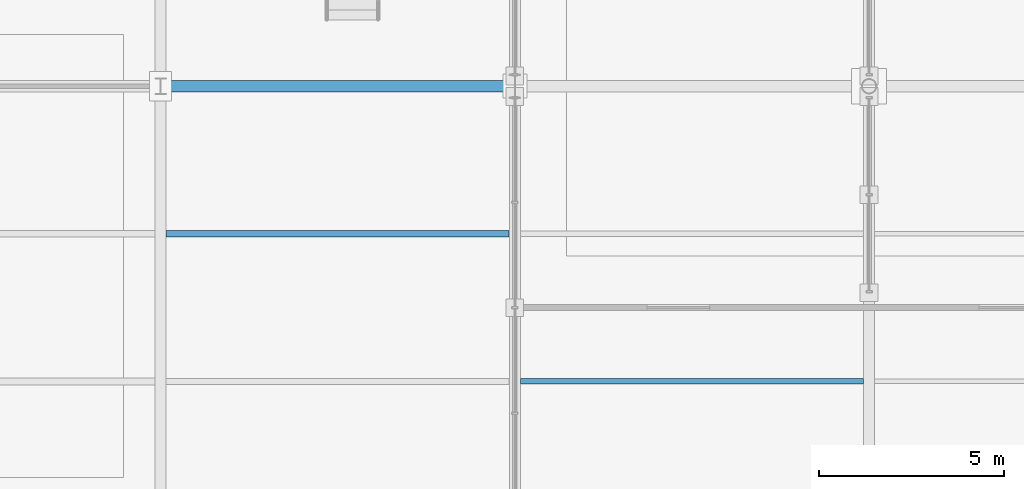
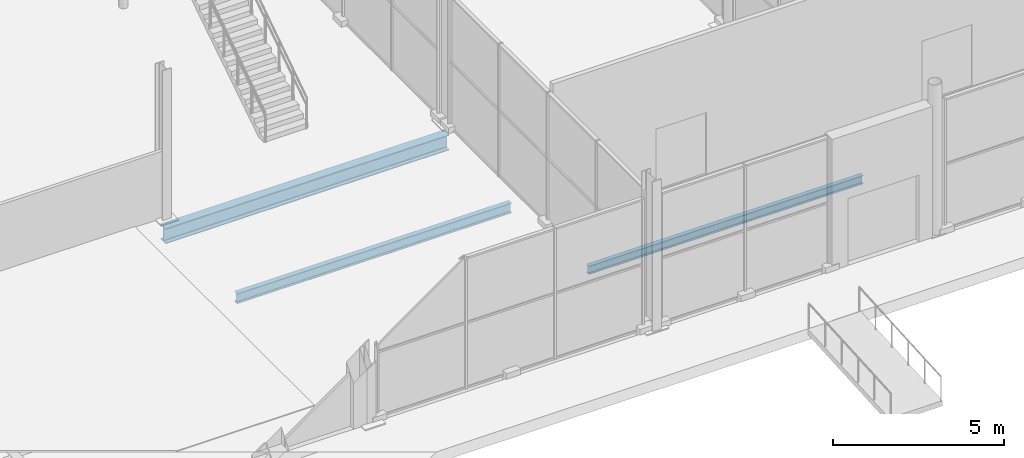
# One storey, part 43 of 196: 3 beams.
"""IFC4 building model written with IfcOpenShell, lengths in metres."""

from ifc_helpers import new_model, si_unit, direction, frame, origin, origin_2d, place, context, subcontext, project, spatial, i_section, extrude, material, material_profile, profile_set, type_object, element, save


model = new_model("IFC4")

# Units and contexts
model_context = context("Model", 3, precision=1e-05, world=origin(), true_north=direction((0.0, 1.0)))
body_context = subcontext(model_context, "Body", "Model", "MODEL_VIEW")
ifc_project = project(units=[si_unit("LENGTHUNIT", "METRE"), si_unit("AREAUNIT", "SQUARE_METRE"), si_unit("VOLUMEUNIT", "CUBIC_METRE"), si_unit("PLANEANGLEUNIT", "RADIAN"), si_unit("MASSUNIT", "GRAM", prefix="KILO")], contexts=[model_context])

# Site, building, storey
site_placement = place(None, origin())
site = spatial("IfcSite", under=ifc_project, at=site_placement, CompositionType="ELEMENT")
building_placement = place(site_placement, origin())
building = spatial("IfcBuilding", under=site, at=building_placement, Name="Merenkruunu Market Hall", CompositionType="ELEMENT")
storey_placement = place(building_placement, origin())
storey = spatial("IfcBuildingStorey", under=building, at=storey_placement, Name="L00", CompositionType="ELEMENT", Elevation=0.0)

# Beams
ifc_material = material(Name="Steel S355J2", Category="steel")
ifc_material_profile_1 = material_profile(ifc_material, i_section(OverallWidth=0.300048828125, OverallDepth=0.550048828125, WebThickness=0.014892578125, FlangeThickness=0.029052734375, FilletRadius=0.027099609375, at=origin_2d()), Name="HEB 550")
ifc_profile_set_1 = profile_set([ifc_material_profile_1], Name="Steel S355J2")
beam_type_1 = type_object("IfcBeamType", Name="Primary Floor Girder B02", PredefinedType="BEAM", material=ifc_profile_set_1)
beam_1_placement = place(storey_placement, frame((48.0, 27.60009765625, -0.614990234375), z_axis=(1.0, 0.0, 0.0), x_axis=(0.0, 1.0, 0.0)))
element("IfcBeam", 1, at=beam_1_placement, inside=storey, type_object=beam_type_1, Name="BM-L00-B02-0032", PredefinedType="BEAM", context=body_context, shape_type="SweptSolid", body=[
    extrude(i_section(OverallWidth=0.300048828125, OverallDepth=0.550048828125, WebThickness=0.014892578125, FlangeThickness=0.029052734375, FilletRadius=0.027099609375, at=origin_2d()), origin(), (0.0, 0.0, 1.0), 9.60009765625),
])
ifc_material_profile_2 = material_profile(ifc_material, i_section(OverallWidth=0.169921875, OverallDepth=0.360107421875, WebThickness=0.008056640625, FlangeThickness=0.0126953125, FilletRadius=0.01806640625, at=origin_2d()), Name="IPE 360")
ifc_profile_set_2 = profile_set([ifc_material_profile_2], Name="Steel S355J2")
beam_type_2 = type_object("IfcBeamType", Name="Secondary Floor Joist J03", PredefinedType="JOIST", material=ifc_profile_set_2)
beam_2_placement = place(storey_placement, frame((48.153076171875, 23.60009765625, -0.52001953125), z_axis=(1.0, 0.0, 0.0), x_axis=(0.0, 1.0, 0.0)))
element("IfcBeam", 2, at=beam_2_placement, inside=storey, type_object=beam_type_2, Name="BM-L00-J03-0334", PredefinedType="JOIST", context=body_context, shape_type="SweptSolid", body=[
    extrude(i_section(OverallWidth=0.169921875, OverallDepth=0.360107421875, WebThickness=0.008056640625, FlangeThickness=0.0126953125, FilletRadius=0.01806640625, at=origin_2d()), origin(), (0.0, 0.0, 1.0), 9.2939453125),
])
ifc_material_profile_3 = material_profile(ifc_material, i_section(OverallWidth=0.14990234375, OverallDepth=0.300048828125, WebThickness=0.007080078125, FlangeThickness=0.0107421875, FilletRadius=0.014892578125, at=origin_2d()), Name="IPE 300")
ifc_profile_set_3 = profile_set([ifc_material_profile_3], Name="Steel S355J2")
beam_type_3 = type_object("IfcBeamType", Name="Secondary Floor Joist J04", PredefinedType="JOIST", material=ifc_profile_set_3)
beam_3_placement = place(storey_placement, frame((57.7529296875, 19.60009765625, -0.449951171875), z_axis=(1.0, 0.0, 0.0), x_axis=(0.0, 1.0, 0.0)))
element("IfcBeam", 3, at=beam_3_placement, inside=storey, type_object=beam_type_3, Name="BM-L00-J04-0346", PredefinedType="JOIST", context=body_context, shape_type="SweptSolid", body=[
    extrude(i_section(OverallWidth=0.14990234375, OverallDepth=0.300048828125, WebThickness=0.007080078125, FlangeThickness=0.0107421875, FilletRadius=0.014892578125, at=origin_2d()), origin(), (0.0, 0.0, 1.0), 9.294189453125),
])

save(model, "model.ifc")
